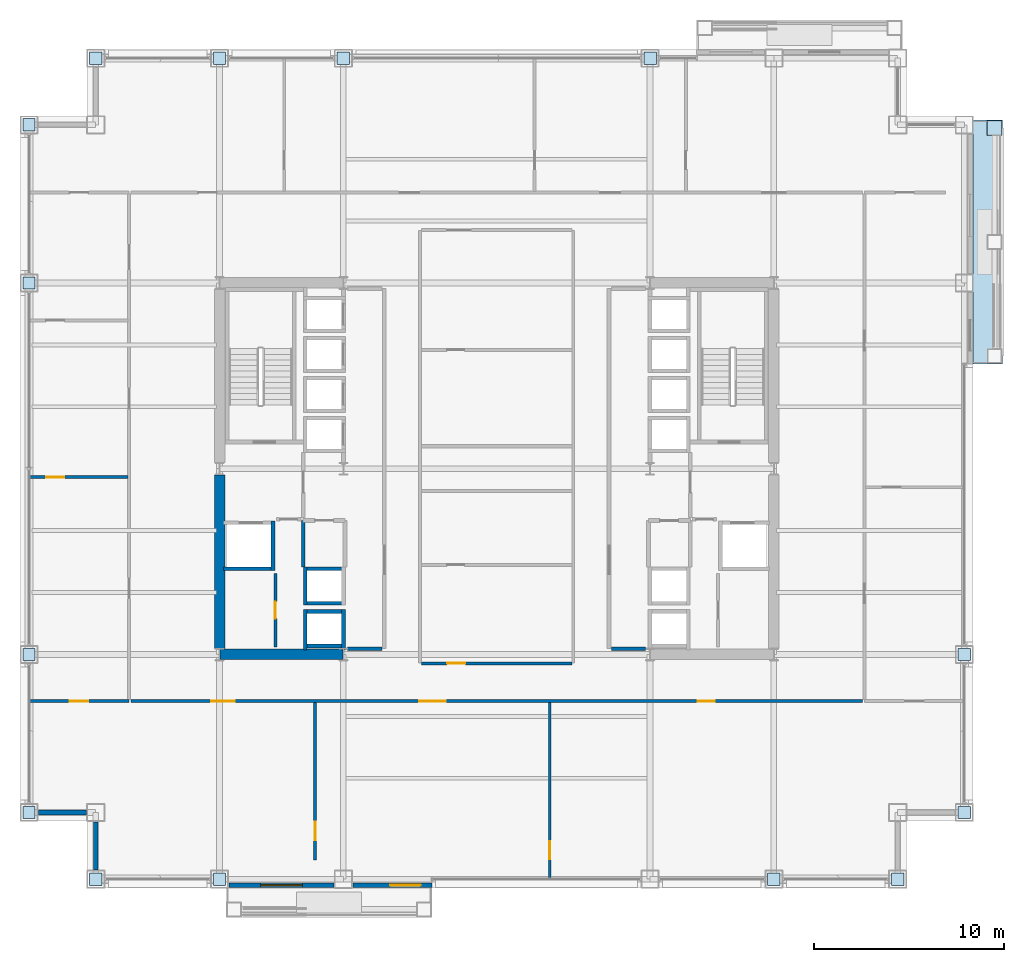
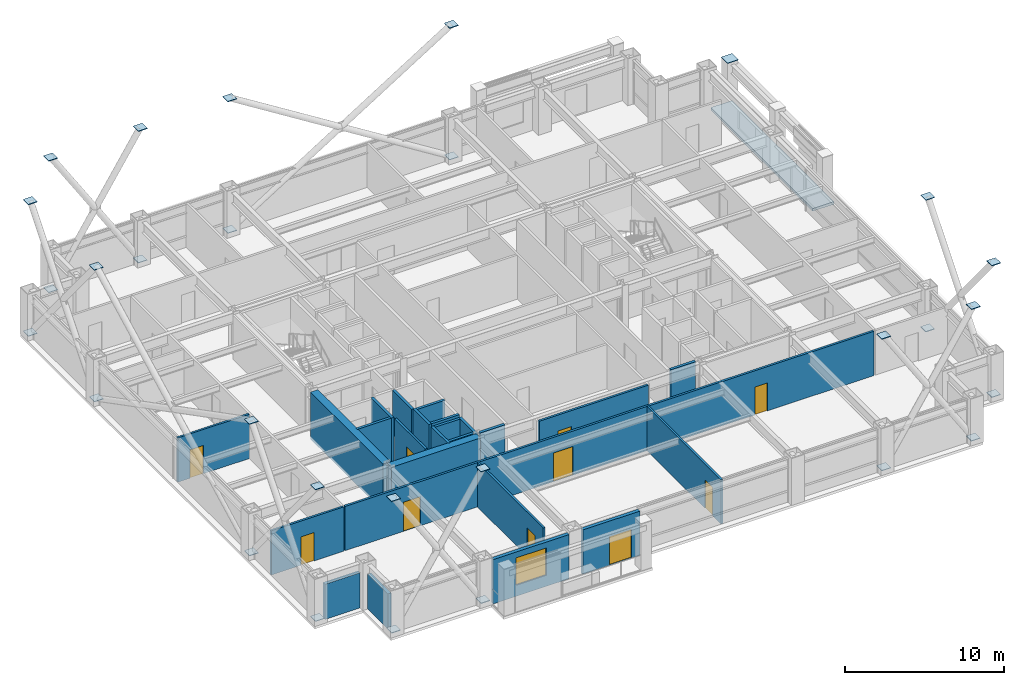
# One storey, part 27 of 34: 29 plates, 25 walls, 10 doors, 1 slab, 1 window, 11 openings.
"""IFC4 building model written with IfcOpenShell, lengths in metres."""

from ifc_helpers import new_model, si_unit, direction, frame, frame_2d, origin, origin_2d, place, context, subcontext, project, spatial, polyline, rectangle, outline, extrude, material, layer, layer_set, type_object, element, fill, save


model = new_model("IFC4")

# Units and contexts
model_context = context("Model", 3, precision=1e-05, world=origin(), true_north=direction((0.0, 1.0)))
body_context = subcontext(model_context, "Body", "Model", "MODEL_VIEW")
ifc_project = project(units=[si_unit("LENGTHUNIT", "METRE"), si_unit("AREAUNIT", "SQUARE_METRE"), si_unit("VOLUMEUNIT", "CUBIC_METRE"), si_unit("PLANEANGLEUNIT", "RADIAN"), si_unit("MASSUNIT", "GRAM", prefix="KILO")], contexts=[model_context])

# Site, building, storey
site_placement = place(None, origin())
site = spatial("IfcSite", under=ifc_project, at=site_placement, CompositionType="ELEMENT")
building_placement = place(site_placement, origin())
building = spatial("IfcBuilding", under=site, at=building_placement, Name="Brelmoor Portico Tower", CompositionType="ELEMENT")
storey_placement = place(building_placement, frame((0.0, 0.0, 45.60009765625)))
storey = spatial("IfcBuildingStorey", under=building, at=storey_placement, Name="L11", CompositionType="ELEMENT", Elevation=45.60009765625)

# Plates
ifc_material_1 = material(Name="Steel Q355B", Category="steel")
ifc_layer_1 = layer(ifc_material_1, 0.044921875)
ifc_layer_set_1 = layer_set([ifc_layer_1], Name="Steel Q355B")
plate_type = type_object("IfcPlateType", Name="PT-CAP-650", PredefinedType="SHEET", material=ifc_layer_set_1)
plate_placement = place(storey_placement, frame((26.1298828125, 17.8798828125, 3.599853515625), z_axis=(0.0, 0.0, 1.0), x_axis=(0.0, 1.0, 0.0)))
element("IfcPlate", 1, at=plate_placement, inside=storey, type_object=plate_type, Name="L11 Proud Picture-Frame Pier PFJ-E2 Welded Head Cap Plate", PredefinedType="SHEET", context=body_context, shape_type="SweptSolid", body=[
    extrude(rectangle(XDim=0.7900390625, YDim=0.7900390625, at=origin_2d()), origin(), (0.0, 0.0, 1.0), 0.0400390625),
])
for number, where, z_axis, x_axis, name in (
    (2, (-21.050048828125, -21.550048828125, 0.2275390625), (0.0, 0.0, 1.0), (1.0, 0.0, 0.0), "L11 Continuous Mega-X Brace 017A Joint Cap Plate 1"),
    (3, (-14.550048828125, -21.550048828125, 10.327392578125), (0.0, 0.0, 1.0), (1.0, 0.0, 0.0), "L11 Continuous Mega-X Brace 017A Joint Cap Plate 2"),
    (4, (-14.550048828125, -21.550048828125, 0.2275390625), (0.0, 0.0, 1.0), (1.0, 0.0, 0.0), "L11 Split Mega-X Brace 017B1 Joint Cap Plate 1"),
    (5, (-21.050048828125, -21.550048828125, 10.327392578125), (0.0, 0.0, 1.0), (1.0, 0.0, 0.0), "L11 Split Mega-X Brace 017B2 Joint Cap Plate 2"),
    (6, (14.550048828125, -21.550048828125, 0.2275390625), (0.0, 0.0, 1.0), (1.0, 0.0, 0.0), "L11 Continuous Mega-X Brace 018A Joint Cap Plate 1"),
    (7, (21.050048828125, -21.550048828125, 10.327392578125), (0.0, 0.0, 1.0), (1.0, 0.0, 0.0), "L11 Continuous Mega-X Brace 018A Joint Cap Plate 2"),
    (8, (21.050048828125, -21.550048828125, 0.2275390625), (0.0, 0.0, 1.0), (1.0, 0.0, 0.0), "L11 Split Mega-X Brace 018B1 Joint Cap Plate 1"),
    (9, (14.550048828125, -21.550048828125, 10.327392578125), (0.0, 0.0, 1.0), (1.0, 0.0, 0.0), "L11 Split Mega-X Brace 018B2 Joint Cap Plate 2"),
    (10, (-21.050048828125, 21.550048828125, 0.2275390625), (0.0, 0.0, 1.0), (1.0, 0.0, 0.0), "L11 Continuous Mega-X Brace 019A Joint Cap Plate 1"),
    (11, (-14.550048828125, 21.550048828125, 10.327392578125), (0.0, 0.0, 1.0), (1.0, 0.0, 0.0), "L11 Continuous Mega-X Brace 019A Joint Cap Plate 2"),
    (12, (-14.550048828125, 21.550048828125, 0.2275390625), (0.0, 0.0, 1.0), (1.0, 0.0, 0.0), "L11 Split Mega-X Brace 019B1 Joint Cap Plate 1"),
    (13, (-21.050048828125, 21.550048828125, 10.327392578125), (0.0, 0.0, 1.0), (1.0, 0.0, 0.0), "L11 Split Mega-X Brace 019B2 Joint Cap Plate 2"),
    (14, (-8.050048828125, 21.550048828125, 0.2275390625), (0.0, 0.0, 1.0), (1.0, 0.0, 0.0), "L11 Continuous Mega-X Brace 020A Joint Cap Plate 1"),
    (15, (8.050048828125, 21.550048828125, 10.327392578125), (0.0, 0.0, 1.0), (1.0, 0.0, 0.0), "L11 Continuous Mega-X Brace 020A Joint Cap Plate 2"),
    (16, (8.050048828125, 21.550048828125, 0.2275390625), (0.0, 0.0, 1.0), (1.0, 0.0, 0.0), "L11 Split Mega-X Brace 020B1 Joint Cap Plate 1"),
    (17, (-8.050048828125, 21.550048828125, 10.327392578125), (0.0, 0.0, 1.0), (1.0, 0.0, 0.0), "L11 Split Mega-X Brace 020B2 Joint Cap Plate 2"),
    (18, (-24.550048828125, -18.050048828125, 0.2275390625), (0.0, 0.0, 1.0), (1.0, 0.0, 0.0), "L11 Continuous Mega-X Brace 021A Joint Cap Plate 1"),
    (19, (-24.550048828125, -9.75, 10.327392578125), (0.0, 0.0, 1.0), (1.0, 0.0, 0.0), "L11 Continuous Mega-X Brace 021A Joint Cap Plate 2"),
    (20, (-24.550048828125, -9.75, 0.2275390625), (0.0, 0.0, 1.0), (1.0, 0.0, 0.0), "L11 Split Mega-X Brace 021B1 Joint Cap Plate 1"),
    (21, (-24.550048828125, -18.050048828125, 10.327392578125), (0.0, 0.0, 1.0), (1.0, 0.0, 0.0), "L11 Split Mega-X Brace 021B2 Joint Cap Plate 2"),
    (22, (-24.550048828125, 9.75, 10.327392578125), (0.0, 0.0, 1.0), (1.0, 0.0, 0.0), "L11 Continuous Mega-X Brace 022A Joint Cap Plate 2"),
    (23, (-24.550048828125, 9.75, 0.2275390625), (0.0, 0.0, 1.0), (1.0, 0.0, 0.0), "L11 Split Mega-X Brace 022B1 Joint Cap Plate 1"),
    (24, (-24.550048828125, 18.050048828125, 10.327392578125), (0.0, 0.0, 1.0), (1.0, 0.0, 0.0), "L11 Continuous Mega-X Brace 023A Joint Cap Plate 2"),
    (25, (-24.550048828125, 18.050048828125, 0.2275390625), (0.0, 0.0, 1.0), (1.0, 0.0, 0.0), "L11 Split Mega-X Brace 023B1 Joint Cap Plate 1"),
    (26, (24.550048828125, -18.050048828125, 0.2275390625), (0.0, 0.0, 1.0), (1.0, 0.0, 0.0), "L11 Continuous Mega-X Brace 024A Joint Cap Plate 1"),
    (27, (24.550048828125, -9.75, 10.327392578125), (0.0, 0.0, 1.0), (1.0, 0.0, 0.0), "L11 Continuous Mega-X Brace 024A Joint Cap Plate 2"),
    (28, (24.550048828125, -9.75, 0.2275390625), (0.0, 0.0, 1.0), (1.0, 0.0, 0.0), "L11 Split Mega-X Brace 024B1 Joint Cap Plate 1"),
    (29, (24.550048828125, -18.050048828125, 10.327392578125), (0.0, 0.0, 1.0), (1.0, 0.0, 0.0), "L11 Split Mega-X Brace 024B2 Joint Cap Plate 2"),
):
    element("IfcPlate", number, at=place(storey_placement, frame(where, z_axis=z_axis, x_axis=x_axis)), inside=storey, type_object=plate_type, Name=name, PredefinedType="SHEET", context=body_context, shape_type="SweptSolid", body=[
        extrude(rectangle(XDim=0.64990234375, YDim=0.64990234375, at=origin_2d()), origin(), (0.0, 0.0, 1.0), 0.044921875),
    ])

# Slab
ifc_material_2 = material(Name="Concrete C40", Category="concrete")
ifc_layer_2 = layer(ifc_material_2, 0.199951171875)
ifc_layer_set_2 = layer_set([ifc_layer_2], Name="Concrete C40")
slab_type = type_object("IfcSlabType", Name="SL-BALCONY-200", PredefinedType="FLOOR", material=ifc_layer_set_2)
slab_placement = place(storey_placement, frame((0.0, 0.0, -0.2001953125)))
element("IfcSlab", 30, at=slab_placement, inside=storey, type_object=slab_type, Name="L11 Loggia Tree Balcony Slab E", PredefinedType="FLOOR", context=body_context, shape_type="SweptSolid", body=[
    extrude(outline(polyline([(25.0, 5.5), (26.550048828125, 5.5), (26.550048828125, 18.300048828125), (25.0, 18.300048828125), (25.0, 5.5)])), origin(), (0.0, 0.0, 1.0), 0.2001953125),
])

# Walls
ifc_material_3 = material(Name="Concrete C60", Category="concrete")
ifc_layer_3 = layer(ifc_material_3, 0.550048828125)
ifc_layer_set_3 = layer_set([ifc_layer_3], Name="Concrete C60")
wall_type_1 = type_object("IfcWallType", Name="WL-CORE-550", PredefinedType="SHEAR", material=ifc_layer_set_3)
wall_1_placement = place(storey_placement, frame((-14.530029296875, -9.75, -0.2001953125), z_axis=(0.0, 0.0, 1.0), x_axis=(1.0, 0.0, 0.0)))
element("IfcWall", 31, at=wall_1_placement, inside=storey, type_object=wall_type_1, Name="L11 WC South Shear Wall", PredefinedType="SHEAR", context=body_context, shape_type="SweptSolid", body=[
    extrude(rectangle(XDim=6.4599609375, YDim=0.550048828125, at=frame_2d((3.22998046875, 0.0))), origin(), (0.0, 0.0, 1.0), 3.60009765625),
])
wall_2_placement = place(storey_placement, frame((-14.550048828125, -9.425048828125, -0.2001953125), z_axis=(0.0, 0.0, 1.0), x_axis=(0.0, 1.0, 0.0)))
element("IfcWall", 32, at=wall_2_placement, inside=storey, type_object=wall_type_1, Name="L11 WC Outer South Shear Wall", PredefinedType="SHEAR", context=body_context, shape_type="SweptSolid", body=[
    extrude(rectangle(XDim=9.10009765625, YDim=0.550048828125, at=frame_2d((4.550048828125, 0.0))), origin(), (0.0, 0.0, 1.0), 3.60009765625),
])

# Wall, opening, window
ifc_material_4 = material(Name="Precast Concrete C40 Insulated Facade Wall", Category="concrete")
ifc_layer_4 = layer(ifc_material_4, 0.25)
ifc_layer_set_4 = layer_set([ifc_layer_4], Name="Precast Concrete C40 Insulated Facade Wall")
wall_type_2 = type_object("IfcWallType", Name="WL-EXT-250", PredefinedType="STANDARD", material=ifc_layer_set_4)
wall_3_placement = place(storey_placement, frame((-14.054931640625, -21.860107421875, 0.0), z_axis=(0.0, 0.0, 1.0), x_axis=(1.0, 0.0, 0.0)))
wall_3 = element("IfcWall", 33, at=wall_3_placement, inside=storey, type_object=wall_type_2, Name="L11 Loggia Threshold Wall S-1", PredefinedType="STANDARD", context=body_context, shape_type="SweptSolid", body=[
    extrude(rectangle(XDim=5.510009765625, YDim=0.25, at=frame_2d((2.7548828125, 0.0))), origin(), (0.0, 0.0, 1.0), 3.39990234375),
])
opening_1_placement = place(wall_3_placement, frame((1.655029296875, 0.0, 0.85009765625)))
opening_1 = element("IfcOpeningElement", 34, at=opening_1_placement, cuts=wall_3, Name="Opening W-03B", PredefinedType="OPENING", context=body_context, shape_type="SweptSolid", body=[
    extrude(rectangle(XDim=2.199951171875, YDim=2.10009765625, at=frame_2d((1.10009765625, 1.050048828125))), frame((0.0, 0.135009765625, 0.0), z_axis=(0.0, -1.0, 0.0), x_axis=(1.0, 0.0, 0.0)), (0.0, 0.0, 1.0), 0.27001953125),
])
ifc_material_5 = material(Name="Thermally Broken Aluminium Low-E Window", Category="aluminium")
window_type = type_object("IfcWindowType", Name="WN-LOGGIA-2200x2100", PartitioningType="SINGLE_PANEL", PredefinedType="WINDOW", material=ifc_material_5)
window_placement = place(opening_1_placement, origin())
window = element("IfcWindow", 35, at=window_placement, inside=storey, type_object=window_type, Name="L11 Loggia Window S", OverallHeight=2.10009765625, OverallWidth=2.199951171875, PartitioningType="SINGLE_PANEL", PredefinedType="WINDOW", context=body_context, shape_type="SweptSolid", body=[
    extrude(rectangle(XDim=2.199951171875, YDim=2.10009765625, at=frame_2d((1.10009765625, 1.050048828125))), frame((0.0, 0.030029296875, 0.0), z_axis=(0.0, -1.0, 0.0), x_axis=(1.0, 0.0, 0.0)), (0.0, 0.0, 1.0), 0.06005859375),
])
fill(opening_1, window)

# Wall, opening, door
wall_4_placement = place(storey_placement, frame((-7.554931640625, -21.860107421875, 0.0), z_axis=(0.0, 0.0, 1.0), x_axis=(1.0, 0.0, 0.0)))
wall_4 = element("IfcWall", 36, at=wall_4_placement, inside=storey, type_object=wall_type_2, Name="L11 Loggia Threshold Wall S-2", PredefinedType="STANDARD", context=body_context, shape_type="SweptSolid", body=[
    extrude(rectangle(XDim=4.155029296875, YDim=0.25, at=frame_2d((2.07763671875, 0.0))), origin(), (0.0, 0.0, 1.0), 3.39990234375),
])
opening_2_placement = place(wall_4_placement, frame((1.955078125, 0.0, 0.0)))
opening_2 = element("IfcOpeningElement", 37, at=opening_2_placement, cuts=wall_4, Name="Opening D-TB1", PredefinedType="OPENING", context=body_context, shape_type="SweptSolid", body=[
    extrude(rectangle(XDim=1.60009765625, YDim=2.199951171875, at=frame_2d((0.800048828125, 1.10009765625))), frame((0.0, 0.135009765625, 0.0), z_axis=(0.0, -1.0, 0.0), x_axis=(1.0, 0.0, 0.0)), (0.0, 0.0, 1.0), 0.27001953125),
])
ifc_material_6 = material(Name="Double-Leaf Thermally Broken Terrace Door", Category="aluminium")
door_type_1 = type_object("IfcDoorType", Name="DR-BALCONY-1600", OperationType="NOTDEFINED", PredefinedType="DOOR", material=ifc_material_6)
door_1_placement = place(opening_2_placement, origin())
door_1 = element("IfcDoor", 38, at=door_1_placement, inside=storey, type_object=door_type_1, Name="D-0512 L11 Tree Balcony Double Door S", OperationType="DOUBLE_DOOR_SINGLE_SWING", OverallHeight=2.199951171875, OverallWidth=1.60009765625, PredefinedType="DOOR", context=body_context, shape_type="SweptSolid", body=[
    extrude(rectangle(XDim=1.60009765625, YDim=2.199951171875, at=frame_2d((0.800048828125, 1.10009765625))), frame((0.0, 0.02490234375, 0.0), z_axis=(0.0, -1.0, 0.0), x_axis=(1.0, 0.0, 0.0)), (0.0, 0.0, 1.0), 0.050048828125),
])
fill(opening_2, door_1)

# Walls
for number, where, z_axis, x_axis, name in (
    (39, (-24.06494140625, -18.050048828125, 0.0), (0.0, 0.0, 1.0), (1.0, 0.0, 0.0), "L11 Corner Notch Facade Wall NSWH1"),
    (40, (-21.050048828125, -21.06494140625, 0.0), (0.0, 0.0, 1.0), (0.0, 1.0, 0.0), "L11 Corner Notch Facade Wall NSWV1"),
):
    element("IfcWall", number, at=place(storey_placement, frame(where, z_axis=z_axis, x_axis=x_axis)), inside=storey, type_object=wall_type_2, Name=name, PredefinedType="STANDARD", context=body_context, shape_type="SweptSolid", body=[
        extrude(rectangle(XDim=2.530029296875, YDim=0.25, at=frame_2d((1.26513671875, 0.0))), origin(), (0.0, 0.0, 1.0), 2.699951171875),
    ])

# Wall, opening, door
ifc_material_7 = material(Name="Wet-Area Moisture-Resistant Partition", Category="gypsum")
ifc_layer_5 = layer(ifc_material_7, 0.14990234375)
ifc_layer_set_5 = layer_set([ifc_layer_5], Name="Wet-Area Moisture-Resistant Partition")
wall_type_3 = type_object("IfcWallType", Name="WL-PART-150", PredefinedType="PARTITIONING", material=ifc_layer_set_5)
wall_5_placement = place(storey_placement, frame((-9.530029296875, -20.550048828125, 0.0), z_axis=(0.0, 0.0, 1.0), x_axis=(0.0, 1.0, 0.0)))
wall_5 = element("IfcWall", 41, at=wall_5_placement, inside=storey, type_object=wall_type_3, Name="L11 South Suite Partition 1", PredefinedType="PARTITIONING", context=body_context, shape_type="SweptSolid", body=[
    extrude(rectangle(XDim=8.2900390625, YDim=0.14990234375, at=frame_2d((4.14501953125, 0.0))), origin(), (0.0, 0.0, 1.0), 3.39990234375),
])
opening_3_placement = place(wall_5_placement, frame((1.050048828125, 0.0, 0.0)))
opening_3 = element("IfcOpeningElement", 42, at=opening_3_placement, cuts=wall_5, Name="Opening D-IN2", PredefinedType="OPENING", context=body_context, shape_type="SweptSolid", body=[
    extrude(rectangle(XDim=0.9599609375, YDim=2.179931640625, at=frame_2d((0.47998046875, 1.08984375))), frame((0.0, 0.0849609375, 0.0), z_axis=(0.0, -1.0, 0.0), x_axis=(1.0, 0.0, 0.0)), (0.0, 0.0, 1.0), 0.169921875),
])
ifc_material_8 = material(Name="Lacquered Timber Suite Door", Category="wood")
door_type_2 = type_object("IfcDoorType", Name="DR-INT-950", OperationType="NOTDEFINED", PredefinedType="DOOR", material=ifc_material_8)
door_2_placement = place(opening_3_placement, origin())
door_2 = element("IfcDoor", 43, at=door_2_placement, inside=storey, type_object=door_type_2, Name="D-0504 L11 South Suite Connecting Door 1", OperationType="SINGLE_SWING_LEFT", OverallHeight=2.179931640625, OverallWidth=0.9599609375, PredefinedType="DOOR", context=body_context, shape_type="SweptSolid", body=[
    extrude(rectangle(XDim=0.9599609375, YDim=2.179931640625, at=frame_2d((0.47998046875, 1.08984375))), frame((0.0, 0.02490234375, 0.0), z_axis=(0.0, -1.0, 0.0), x_axis=(1.0, 0.0, 0.0)), (0.0, 0.0, 1.0), 0.050048828125),
])
fill(opening_3, door_2)

wall_6_placement = place(storey_placement, frame((2.787353515625, -21.56005859375, 0.0), z_axis=(0.0, 0.0, 1.0), x_axis=(0.0, 1.0, 0.0)))
wall_6 = element("IfcWall", 44, at=wall_6_placement, inside=storey, type_object=wall_type_3, Name="L11 South Suite Partition 2", PredefinedType="PARTITIONING", context=body_context, shape_type="SweptSolid", body=[
    extrude(rectangle(XDim=9.300048828125, YDim=0.14990234375, at=frame_2d((4.64990234375, 0.0))), origin(), (0.0, 0.0, 1.0), 3.39990234375),
])
opening_4_placement = place(wall_6_placement, frame((1.050048828125, 0.0, 0.0)))
opening_4 = element("IfcOpeningElement", 45, at=opening_4_placement, cuts=wall_6, Name="Opening D-IN2", PredefinedType="OPENING", context=body_context, shape_type="SweptSolid", body=[
    extrude(rectangle(XDim=0.9599609375, YDim=2.179931640625, at=frame_2d((0.47998046875, 1.08984375))), frame((0.0, 0.0849609375, 0.0), z_axis=(0.0, -1.0, 0.0), x_axis=(1.0, 0.0, 0.0)), (0.0, 0.0, 1.0), 0.169921875),
])
door_3_placement = place(opening_4_placement, origin())
door_3 = element("IfcDoor", 46, at=door_3_placement, inside=storey, type_object=door_type_2, Name="D-0505 L11 South Suite Connecting Door 2", OperationType="SINGLE_SWING_RIGHT", OverallHeight=2.179931640625, OverallWidth=0.9599609375, PredefinedType="DOOR", context=body_context, shape_type="SweptSolid", body=[
    extrude(rectangle(XDim=0.9599609375, YDim=2.179931640625, at=frame_2d((0.47998046875, 1.08984375))), frame((0.0, 0.02490234375, 0.0), z_axis=(0.0, -1.0, 0.0), x_axis=(1.0, 0.0, 0.0)), (0.0, 0.0, 1.0), 0.050048828125),
])
fill(opening_4, door_3)

wall_7_placement = place(storey_placement, frame((-24.56005859375, -12.199951171875, 0.0), z_axis=(0.0, 0.0, 1.0), x_axis=(1.0, 0.0, 0.0)))
wall_7 = element("IfcWall", 47, at=wall_7_placement, inside=storey, type_object=wall_type_3, Name="L11 South Outer Closure WL", PredefinedType="PARTITIONING", context=body_context, shape_type="SweptSolid", body=[
    extrude(rectangle(XDim=5.260009765625, YDim=0.14990234375, at=frame_2d((2.6298828125, 0.0))), origin(), (0.0, 0.0, 1.0), 3.39990234375),
])
opening_5_placement = place(wall_7_placement, frame((2.14990234375, 0.0, 0.0)))
opening_5 = element("IfcOpeningElement", 48, at=opening_5_placement, cuts=wall_7, Name="Opening D-IN2", PredefinedType="OPENING", context=body_context, shape_type="SweptSolid", body=[
    extrude(rectangle(XDim=0.9599609375, YDim=2.179931640625, at=frame_2d((0.47998046875, 1.08984375))), frame((0.0, 0.0849609375, 0.0), z_axis=(0.0, -1.0, 0.0), x_axis=(1.0, 0.0, 0.0)), (0.0, 0.0, 1.0), 0.169921875),
])
door_4_placement = place(opening_5_placement, origin())
door_4 = element("IfcDoor", 49, at=door_4_placement, inside=storey, type_object=door_type_2, Name="D-0509 L11 WL South Corner Suite Door", OperationType="SINGLE_SWING_LEFT", OverallHeight=2.179931640625, OverallWidth=0.9599609375, PredefinedType="DOOR", context=body_context, shape_type="SweptSolid", body=[
    extrude(rectangle(XDim=0.9599609375, YDim=2.179931640625, at=frame_2d((0.47998046875, 1.08984375))), frame((0.0, 0.02490234375, 0.0), z_axis=(0.0, -1.0, 0.0), x_axis=(1.0, 0.0, 0.0)), (0.0, 0.0, 1.0), 0.050048828125),
])
fill(opening_5, door_4)

wall_8_placement = place(storey_placement, frame((-24.56005859375, -0.4423828125, 0.0), z_axis=(0.0, 0.0, 1.0), x_axis=(1.0, 0.0, 0.0)))
wall_8 = element("IfcWall", 50, at=wall_8_placement, inside=storey, type_object=wall_type_3, Name="L11 W Wing Partition 1", PredefinedType="PARTITIONING", context=body_context, shape_type="SweptSolid", body=[
    extrude(rectangle(XDim=5.199951171875, YDim=0.14990234375, at=frame_2d((2.60009765625, 0.0))), origin(), (0.0, 0.0, 1.0), 3.39990234375),
])
opening_6_placement = place(wall_8_placement, frame((0.89990234375, 0.0, 0.0)))
opening_6 = element("IfcOpeningElement", 51, at=opening_6_placement, cuts=wall_8, Name="Opening D-IN2", PredefinedType="OPENING", context=body_context, shape_type="SweptSolid", body=[
    extrude(rectangle(XDim=0.9599609375, YDim=2.179931640625, at=frame_2d((0.47998046875, 1.08984375))), frame((0.0, 0.0849609375, 0.0), z_axis=(0.0, -1.0, 0.0), x_axis=(1.0, 0.0, 0.0)), (0.0, 0.0, 1.0), 0.169921875),
])
door_5_placement = place(opening_6_placement, origin())
door_5 = element("IfcDoor", 52, at=door_5_placement, inside=storey, type_object=door_type_2, Name="D-0519 L11 W Wing Suite Connecting Door 1", OperationType="SINGLE_SWING_LEFT", OverallHeight=2.179931640625, OverallWidth=0.9599609375, PredefinedType="DOOR", context=body_context, shape_type="SweptSolid", body=[
    extrude(rectangle(XDim=0.9599609375, YDim=2.179931640625, at=frame_2d((0.47998046875, 1.08984375))), frame((0.0, 0.02490234375, 0.0), z_axis=(0.0, -1.0, 0.0), x_axis=(1.0, 0.0, 0.0)), (0.0, 0.0, 1.0), 0.050048828125),
])
fill(opening_6, door_5)

ifc_material_9 = material(Name="Twin-Frame Acoustic Partition", Category="gypsum")
ifc_layer_6 = layer(ifc_material_9, 0.159912109375)
ifc_layer_set_6 = layer_set([ifc_layer_6], Name="Twin-Frame Acoustic Partition")
wall_type_4 = type_object("IfcWallType", Name="WL-PART-160", PredefinedType="PARTITIONING", material=ifc_layer_set_6)
wall_9_placement = place(storey_placement, frame((-11.6201171875, -9.35009765625, 0.0), z_axis=(0.0, 0.0, 1.0), x_axis=(0.0, 1.0, 0.0)))
wall_9 = element("IfcWall", 53, at=wall_9_placement, inside=storey, type_object=wall_type_4, Name="L11 W Core Service Front Wall", PredefinedType="PARTITIONING", context=body_context, shape_type="SweptSolid", body=[
    extrude(rectangle(XDim=3.85009765625, YDim=0.159912109375, at=frame_2d((1.925048828125, 0.0))), origin(), (0.0, 0.0, 1.0), 3.39990234375),
])
opening_7_placement = place(wall_9_placement, frame((1.47509765625, 0.0, 0.0)))
opening_7 = element("IfcOpeningElement", 54, at=opening_7_placement, cuts=wall_9, Name="Opening D-IN1", PredefinedType="OPENING", context=body_context, shape_type="SweptSolid", body=[
    extrude(rectangle(XDim=0.89990234375, YDim=2.14990234375, at=frame_2d((0.449951171875, 1.074951171875))), frame((0.0, 0.08984375, 0.0), z_axis=(0.0, -1.0, 0.0), x_axis=(1.0, 0.0, 0.0)), (0.0, 0.0, 1.0), 0.179931640625),
])
door_type_3 = type_object("IfcDoorType", Name="DR-INT-900", OperationType="NOTDEFINED", PredefinedType="DOOR", material=ifc_material_8)
door_6_placement = place(opening_7_placement, origin())
door_6 = element("IfcDoor", 55, at=door_6_placement, inside=storey, type_object=door_type_3, Name="D-0485 L11 W Accessible WC Door", OperationType="SINGLE_SWING_LEFT", OverallHeight=2.14990234375, OverallWidth=0.89990234375, PredefinedType="DOOR", context=body_context, shape_type="SweptSolid", body=[
    extrude(rectangle(XDim=0.89990234375, YDim=2.14990234375, at=frame_2d((0.449951171875, 1.074951171875))), frame((0.0, 0.02490234375, 0.0), z_axis=(0.0, -1.0, 0.0), x_axis=(1.0, 0.0, 0.0)), (0.0, 0.0, 1.0), 0.050048828125),
])
fill(opening_7, door_6)

wall_10_placement = place(storey_placement, frame((-3.949951171875, -10.219970703125, 0.0), z_axis=(0.0, 0.0, 1.0), x_axis=(1.0, 0.0, 0.0)))
wall_10 = element("IfcWall", 56, at=wall_10_placement, inside=storey, type_object=wall_type_4, Name="L11 Central Pantry Corridor Wall", PredefinedType="PARTITIONING", context=body_context, shape_type="SweptSolid", body=[
    extrude(rectangle(XDim=7.89990234375, YDim=0.159912109375, at=frame_2d((3.949951171875, 0.0))), origin(), (0.0, 0.0, 1.0), 3.39990234375),
])
opening_8_placement = place(wall_10_placement, frame((1.35009765625, 0.0, 0.0)))
opening_8 = element("IfcOpeningElement", 57, at=opening_8_placement, cuts=wall_10, Name="Opening D-IN2", PredefinedType="OPENING", context=body_context, shape_type="SweptSolid", body=[
    extrude(rectangle(XDim=0.9599609375, YDim=2.179931640625, at=frame_2d((0.47998046875, 1.08984375))), frame((0.0, 0.08984375, 0.0), z_axis=(0.0, -1.0, 0.0), x_axis=(1.0, 0.0, 0.0)), (0.0, 0.0, 1.0), 0.179931640625),
])
door_7_placement = place(opening_8_placement, origin())
door_7 = element("IfcDoor", 58, at=door_7_placement, inside=storey, type_object=door_type_2, Name="D-0480 L11 Staff Pantry Door", OperationType="SINGLE_SWING_LEFT", OverallHeight=2.179931640625, OverallWidth=0.9599609375, PredefinedType="DOOR", context=body_context, shape_type="SweptSolid", body=[
    extrude(rectangle(XDim=0.9599609375, YDim=2.179931640625, at=frame_2d((0.47998046875, 1.08984375))), frame((0.0, 0.02490234375, 0.0), z_axis=(0.0, -1.0, 0.0), x_axis=(1.0, 0.0, 0.0)), (0.0, 0.0, 1.0), 0.050048828125),
])
fill(opening_8, door_7)

# Wall, openings, doors
wall_11_placement = place(storey_placement, frame((-19.199951171875, -12.199951171875, 0.0), z_axis=(0.0, 0.0, 1.0), x_axis=(1.0, 0.0, 0.0)))
wall_11 = element("IfcWall", 59, at=wall_11_placement, inside=storey, type_object=wall_type_4, Name="L11 South Corridor Partition", PredefinedType="PARTITIONING", context=body_context, shape_type="SweptSolid", body=[
    extrude(rectangle(XDim=38.39990234375, YDim=0.159912109375, at=frame_2d((19.199951171875, 0.0))), origin(), (0.0, 0.0, 1.0), 3.39990234375),
])
opening_9_placement = place(wall_11_placement, frame((4.215087890625, 0.0, 0.0)))
opening_9 = element("IfcOpeningElement", 60, at=opening_9_placement, cuts=wall_11, Name="Opening D-SU1", PredefinedType="OPENING", context=body_context, shape_type="SweptSolid", body=[
    extrude(rectangle(XDim=1.239990234375, YDim=2.239990234375, at=frame_2d((0.6201171875, 1.1201171875))), frame((0.0, 0.08984375, 0.0), z_axis=(0.0, -1.0, 0.0), x_axis=(1.0, 0.0, 0.0)), (0.0, 0.0, 1.0), 0.179931640625),
])
opening_10_placement = place(wall_11_placement, frame((15.128662109375, 0.0, 0.0)))
opening_10 = element("IfcOpeningElement", 61, at=opening_10_placement, cuts=wall_11, Name="Opening D-SU2", PredefinedType="OPENING", context=body_context, shape_type="SweptSolid", body=[
    extrude(rectangle(XDim=1.39990234375, YDim=2.199951171875, at=frame_2d((0.699951171875, 1.10009765625))), frame((0.0, 0.08984375, 0.0), z_axis=(0.0, -1.0, 0.0), x_axis=(1.0, 0.0, 0.0)), (0.0, 0.0, 1.0), 0.179931640625),
])
opening_11_placement = place(wall_11_placement, frame((29.74365234375, 0.0, 0.0)))
opening_11 = element("IfcOpeningElement", 62, at=opening_11_placement, cuts=wall_11, Name="Opening D-IN1", PredefinedType="OPENING", context=body_context, shape_type="SweptSolid", body=[
    extrude(rectangle(XDim=0.89990234375, YDim=2.14990234375, at=frame_2d((0.449951171875, 1.074951171875))), frame((0.0, 0.08984375, 0.0), z_axis=(0.0, -1.0, 0.0), x_axis=(1.0, 0.0, 0.0)), (0.0, 0.0, 1.0), 0.179931640625),
])
door_8_placement = place(opening_11_placement, origin())
door_8 = element("IfcDoor", 63, at=door_8_placement, inside=storey, type_object=door_type_3, Name="D-0503 L11 South Open-Plan Office 3 Door", OperationType="SINGLE_SWING_RIGHT", OverallHeight=2.14990234375, OverallWidth=0.89990234375, PredefinedType="DOOR", context=body_context, shape_type="SweptSolid", body=[
    extrude(rectangle(XDim=0.89990234375, YDim=2.14990234375, at=frame_2d((0.449951171875, 1.074951171875))), frame((0.0, 0.02490234375, 0.0), z_axis=(0.0, -1.0, 0.0), x_axis=(1.0, 0.0, 0.0)), (0.0, 0.0, 1.0), 0.050048828125),
])
fill(opening_11, door_8)
ifc_material_10 = material(Name="Glazed Timber Executive Suite Door", Category="wood")
door_type_4 = type_object("IfcDoorType", Name="DR-SUITE-1200", OperationType="NOTDEFINED", PredefinedType="DOOR", material=ifc_material_10)
door_9_placement = place(opening_9_placement, origin())
door_9 = element("IfcDoor", 64, at=door_9_placement, inside=storey, type_object=door_type_4, Name="D-0501 L11 South Executive Study 1 Door", OperationType="SINGLE_SWING_LEFT", OverallHeight=2.239990234375, OverallWidth=1.239990234375, PredefinedType="DOOR", context=body_context, shape_type="SweptSolid", body=[
    extrude(rectangle(XDim=1.239990234375, YDim=2.239990234375, at=frame_2d((0.6201171875, 1.1201171875))), frame((0.0, 0.02490234375, 0.0), z_axis=(0.0, -1.0, 0.0), x_axis=(1.0, 0.0, 0.0)), (0.0, 0.0, 1.0), 0.050048828125),
])
fill(opening_9, door_9)
ifc_material_11 = material(Name="Double-Leaf Acoustic Suite Door", Category="timber")
door_type_5 = type_object("IfcDoorType", Name="DR-SUITE-1400", OperationType="NOTDEFINED", PredefinedType="DOOR", material=ifc_material_11)
door_10_placement = place(opening_10_placement, origin())
door_10 = element("IfcDoor", 65, at=door_10_placement, inside=storey, type_object=door_type_5, Name="D-0502 L11 South Partner Office 2 Door", OperationType="DOUBLE_DOOR_SINGLE_SWING", OverallHeight=2.199951171875, OverallWidth=1.39990234375, PredefinedType="DOOR", context=body_context, shape_type="SweptSolid", body=[
    extrude(rectangle(XDim=1.39990234375, YDim=2.199951171875, at=frame_2d((0.699951171875, 1.10009765625))), frame((0.0, 0.02490234375, 0.0), z_axis=(0.0, -1.0, 0.0), x_axis=(1.0, 0.0, 0.0)), (0.0, 0.0, 1.0), 0.050048828125),
])
fill(opening_10, door_10)

# Walls
ifc_material_12 = material(Name="Double-Stud Gypsum Fire Partition", Category="gypsum")
ifc_layer_7 = layer(ifc_material_12, 0.199951171875)
ifc_layer_set_7 = layer_set([ifc_layer_7], Name="Double-Stud Gypsum Fire Partition")
wall_type_5 = type_object("IfcWallType", Name="WL-PART-200", PredefinedType="PARTITIONING", material=ifc_layer_set_7)
wall_12_placement = place(storey_placement, frame((-6.02001953125, -9.449951171875, 0.0), z_axis=(0.0, 0.0, 1.0), x_axis=(-1.0, 0.0, 0.0)))
element("IfcWall", 66, at=wall_12_placement, inside=storey, type_object=wall_type_5, Name="L11 W Lift Lobby South End Wall", PredefinedType="PARTITIONING", context=body_context, shape_type="SweptSolid", body=[
    extrude(rectangle(XDim=1.800048828125, YDim=0.199951171875, at=frame_2d((0.89990234375, 0.0))), origin(), (0.0, 0.0, 1.0), 3.39990234375),
])
wall_13_placement = place(storey_placement, frame((-10.159912109375, -5.159912109375, 0.0), z_axis=(0.0, 0.0, 1.0), x_axis=(0.0, 1.0, 0.0)))
element("IfcWall", 67, at=wall_13_placement, inside=storey, type_object=wall_type_5, Name="L11 W Electrical Switchgear Closet Outer Wall", PredefinedType="PARTITIONING", context=body_context, shape_type="SweptSolid", body=[
    extrude(rectangle(XDim=2.43994140625, YDim=0.199951171875, at=frame_2d((1.219970703125, 0.0))), origin(), (0.0, 0.0, 1.0), 3.39990234375),
])
wall_14_placement = place(storey_placement, frame((6.02001953125, -9.449951171875, 0.0), z_axis=(0.0, 0.0, 1.0), x_axis=(1.0, 0.0, 0.0)))
element("IfcWall", 68, at=wall_14_placement, inside=storey, type_object=wall_type_5, Name="L11 E Lift Lobby South End Wall", PredefinedType="PARTITIONING", context=body_context, shape_type="SweptSolid", body=[
    extrude(rectangle(XDim=1.800048828125, YDim=0.199951171875, at=frame_2d((0.89990234375, 0.0))), origin(), (0.0, 0.0, 1.0), 3.39990234375),
])
ifc_material_13 = material(Name="Precast Concrete C40", Category="concrete")
ifc_layer_8 = layer(ifc_material_13, 0.18994140625)
ifc_layer_set_8 = layer_set([ifc_layer_8], Name="Precast Concrete C40")
wall_type_6 = type_object("IfcWallType", Name="WL-SHAFT-180", PredefinedType="SOLIDWALL", material=ifc_layer_set_8)
for number, where, z_axis, x_axis, name in (
    (69, (-8.044921875, -9.52001953125, -0.2001953125), (0.0, 0.0, 1.0), (0.0, 1.0, 0.0), "L11 Lift PH1 Hoistway Front Wall"),
    (70, (-10.054931640625, -9.52001953125, -0.2001953125), (0.0, 0.0, 1.0), (0.0, 1.0, 0.0), "L11 Lift PH1 Hoistway Back Wall"),
):
    element("IfcWall", number, at=place(storey_placement, frame(where, z_axis=z_axis, x_axis=x_axis)), inside=storey, type_object=wall_type_6, Name=name, PredefinedType="SOLIDWALL", context=body_context, shape_type="SweptSolid", body=[
        extrude(rectangle(XDim=2.1201171875, YDim=0.18994140625, at=frame_2d((1.06005859375, 0.0))), origin(), (0.0, 0.0, 1.0), 3.60009765625),
    ])
for number, where, z_axis, x_axis, name in (
    (71, (-10.14990234375, -7.4951171875, -0.2001953125), (0.0, 0.0, 1.0), (1.0, 0.0, 0.0), "L11 Lift PH1 Hoistway North Wall"),
    (72, (-10.14990234375, -9.304931640625, -0.2001953125), (0.0, 0.0, 1.0), (1.0, 0.0, 0.0), "L11 Lift PH1 Hoistway South Wall"),
):
    element("IfcWall", number, at=place(storey_placement, frame(where, z_axis=z_axis, x_axis=x_axis)), inside=storey, type_object=wall_type_6, Name=name, PredefinedType="SOLIDWALL", context=body_context, shape_type="SweptSolid", body=[
        extrude(rectangle(XDim=2.199951171875, YDim=0.18994140625, at=frame_2d((1.10009765625, 0.0))), origin(), (0.0, 0.0, 1.0), 3.60009765625),
    ])
wall_15_placement = place(storey_placement, frame((-10.054931640625, -7.14990234375, -0.2001953125), z_axis=(0.0, 0.0, 1.0), x_axis=(0.0, 1.0, 0.0)))
element("IfcWall", 73, at=wall_15_placement, inside=storey, type_object=wall_type_6, Name="L11 Lift PH2 Hoistway Back Wall", PredefinedType="SOLIDWALL", context=body_context, shape_type="SweptSolid", body=[
    extrude(rectangle(XDim=2.0, YDim=0.18994140625, at=frame_2d((1.0, 0.0))), origin(), (0.0, 0.0, 1.0), 3.60009765625),
])
for number, where, z_axis, x_axis, name in (
    (74, (-10.14990234375, -5.2451171875, -0.2001953125), (0.0, 0.0, 1.0), (1.0, 0.0, 0.0), "L11 Lift PH2 Hoistway North Wall"),
    (75, (-10.14990234375, -7.054931640625, -0.2001953125), (0.0, 0.0, 1.0), (1.0, 0.0, 0.0), "L11 Lift PH2 Hoistway South Wall"),
):
    element("IfcWall", number, at=place(storey_placement, frame(where, z_axis=z_axis, x_axis=x_axis)), inside=storey, type_object=wall_type_6, Name=name, PredefinedType="SOLIDWALL", context=body_context, shape_type="SweptSolid", body=[
        extrude(rectangle(XDim=2.199951171875, YDim=0.18994140625, at=frame_2d((1.10009765625, 0.0))), origin(), (0.0, 0.0, 1.0), 3.60009765625),
    ])
wall_16_placement = place(storey_placement, frame((-14.330078125, -5.2548828125, -0.2001953125), z_axis=(0.0, 0.0, 1.0), x_axis=(1.0, 0.0, 0.0)))
element("IfcWall", 76, at=wall_16_placement, inside=storey, type_object=wall_type_6, Name="L11 Firefighting Lift FF1 South Wall", PredefinedType="SOLIDWALL", context=body_context, shape_type="SweptSolid", body=[
    extrude(rectangle(XDim=2.68017578125, YDim=0.18994140625, at=frame_2d((1.340087890625, 0.0))), origin(), (0.0, 0.0, 1.0), 3.60009765625),
])
wall_17_placement = place(storey_placement, frame((-11.7451171875, -5.35009765625, -0.2001953125), z_axis=(0.0, 0.0, 1.0), x_axis=(0.0, 1.0, 0.0)))
element("IfcWall", 77, at=wall_17_placement, inside=storey, type_object=wall_type_6, Name="L11 Firefighting Lift FF1 Inner Wall", PredefinedType="SOLIDWALL", context=body_context, shape_type="SweptSolid", body=[
    extrude(rectangle(XDim=2.60009765625, YDim=0.18994140625, at=frame_2d((1.300048828125, 0.0))), origin(), (0.0, 0.0, 1.0), 3.60009765625),
])

save(model, "model.ifc")
